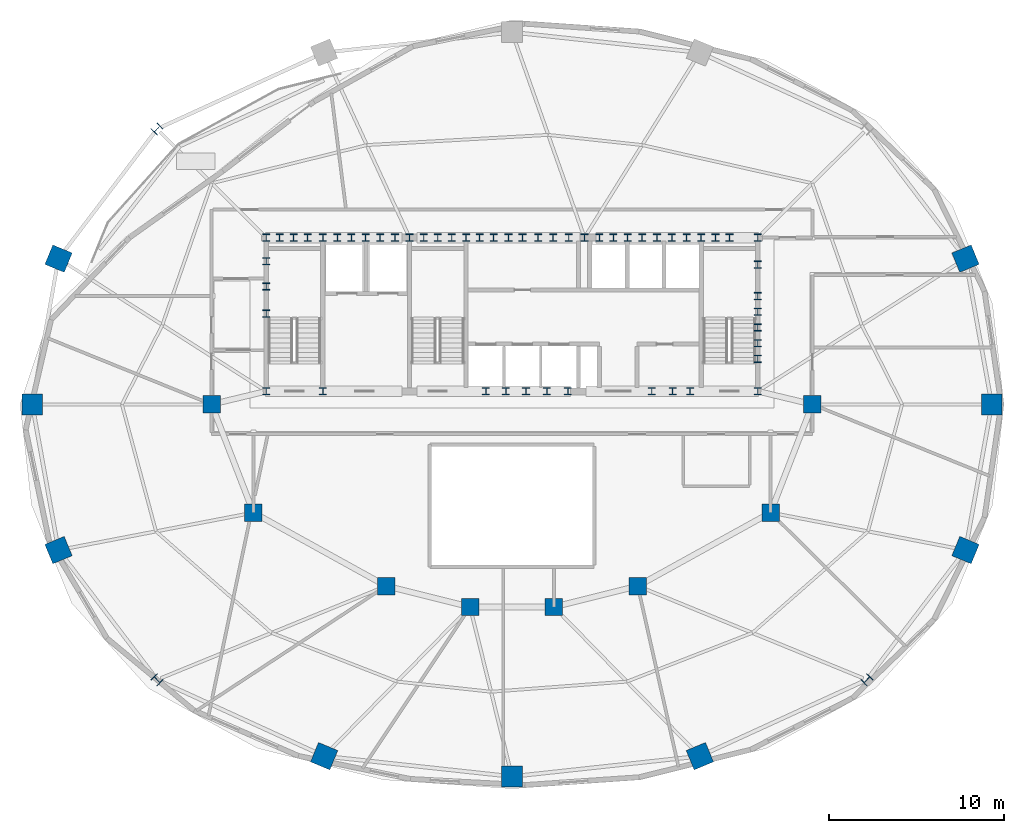
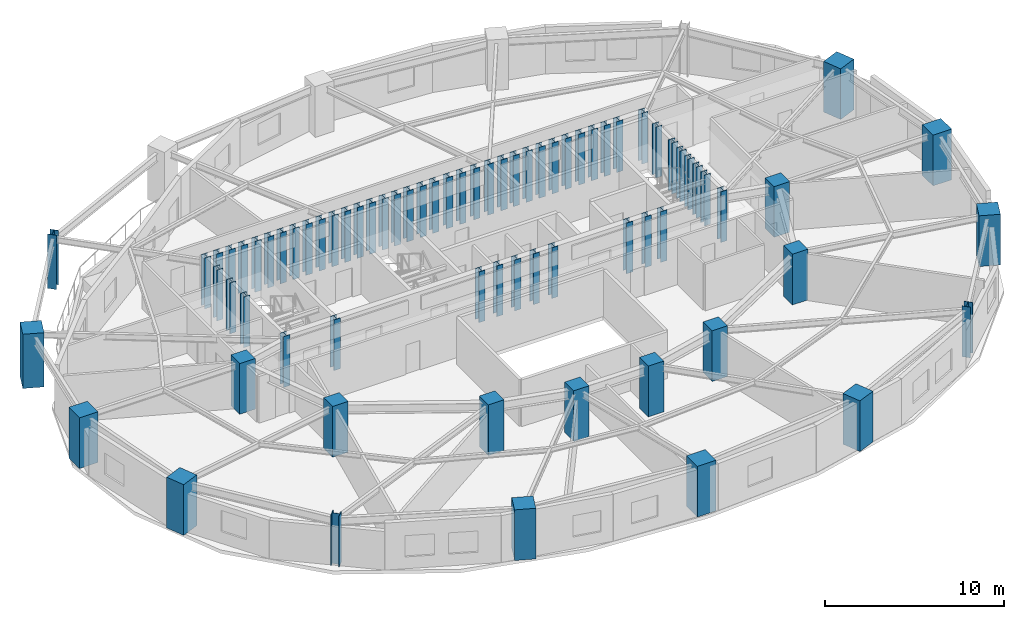
# One storey, part 1 of 10: 74 columns.
"""IFC4 building model written with IfcOpenShell, lengths in metres."""

from ifc_helpers import new_model, si_unit, direction, frame, origin, origin_2d, place, context, subcontext, project, spatial, rectangle, i_section, extrude, material, material_profile, profile_set, type_object, element, save


model = new_model("IFC4")

# Units and contexts
model_context = context("Model", 3, precision=1e-05, world=origin(), true_north=direction((0.0, 1.0)))
body_context = subcontext(model_context, "Body", "Model", "MODEL_VIEW")
ifc_project = project(units=[si_unit("LENGTHUNIT", "METRE"), si_unit("AREAUNIT", "SQUARE_METRE"), si_unit("VOLUMEUNIT", "CUBIC_METRE"), si_unit("PLANEANGLEUNIT", "RADIAN"), si_unit("MASSUNIT", "GRAM", prefix="KILO")], contexts=[model_context])

# Site, building, storey
site_placement = place(None, origin())
site = spatial("IfcSite", under=ifc_project, at=site_placement, CompositionType="ELEMENT")
building_placement = place(site_placement, origin())
building = spatial("IfcBuilding", under=site, at=building_placement, Name="Haldorwick Loom Tower", CompositionType="ELEMENT")
storey_placement = place(building_placement, frame((0.0, 0.0, 185.5)))
storey = spatial("IfcBuildingStorey", under=building, at=storey_placement, Name="L50", CompositionType="ELEMENT", Elevation=185.5)

# Columns
ifc_material_1 = material(Name="Concrete C60 (60 MPa)", Category="concrete")
ifc_material_profile_1 = material_profile(ifc_material_1, rectangle(XDim=1.0, YDim=1.0, at=origin_2d()), Name="RC1000X1000", Category="concrete")
ifc_profile_set_1 = profile_set([ifc_material_profile_1], Name="Concrete C60 (60 MPa)")
column_type_1 = type_object("IfcColumnType", Name="STR-COL-RC1000", PredefinedType="COLUMN", material=ifc_profile_set_1)
for number, where, z_axis, x_axis, name in (
    (1, (53.199951171875, 26.0, 0.0), (0.0, 0.0, 1.0), (1.0, 0.0, 0.0), "L50 Inner Column IC-01"),
    (2, (50.800048828125, 19.800048828125, 0.0), (0.0, 0.0, 1.0), (1.0, 0.0, 0.0), "L50 Inner Column IC-02"),
    (3, (43.199951171875, 15.60009765625, 0.0), (0.0, 0.0, 1.0), (1.0, 0.0, 0.0), "L50 Inner Column IC-03"),
    (4, (38.39990234375, 14.39990234375, 0.0), (0.0, 0.0, 1.0), (1.0, 0.0, 0.0), "L50 Inner Column IC-04"),
    (5, (33.60009765625, 14.39990234375, 0.0), (0.0, 0.0, 1.0), (1.0, 0.0, 0.0), "L50 Inner Column IC-05"),
    (6, (28.800048828125, 15.60009765625, 0.0), (0.0, 0.0, 1.0), (1.0, 0.0, 0.0), "L50 Inner Column IC-06"),
    (7, (21.199951171875, 19.800048828125, 0.0), (0.0, 0.0, 1.0), (1.0, 0.0, 0.0), "L50 Inner Column IC-07"),
    (8, (18.800048828125, 26.0, 0.0), (0.0, 0.0, 1.0), (1.0, 0.0, 0.0), "L50 Inner Column IC-08"),
):
    element("IfcColumn", number, at=place(storey_placement, frame(where, z_axis=z_axis, x_axis=x_axis)), inside=storey, type_object=column_type_1, Name=name, PredefinedType="COLUMN", context=body_context, shape_type="SweptSolid", body=[
        extrude(rectangle(XDim=1.0, YDim=1.0, at=origin_2d()), origin(), (0.0, 0.0, 1.0), 3.449951171875),
    ])
ifc_material_profile_2 = material_profile(ifc_material_1, rectangle(XDim=1.199951171875, YDim=1.199951171875, at=origin_2d()), Name="RC1200X1200", Category="concrete")
ifc_profile_set_2 = profile_set([ifc_material_profile_2], Name="Concrete C60 (60 MPa)")
column_type_2 = type_object("IfcColumnType", Name="STR-COL-RC1200", PredefinedType="COLUMN", material=ifc_profile_set_2)
for number, where, z_axis, x_axis, name in (
    (9, (63.46630859375, 26.0, 0.0), (0.0, 0.0, 1.0), (1.0, 0.0, 0.0), "L50 Perimeter Pier Column P01"),
    (10, (61.9609375, 34.342529296875, 0.0), (0.0, 0.0, 1.0), (0.923879532511, 0.382683432365, 0.0), "L50 Perimeter Pier Column P02"),
):
    element("IfcColumn", number, at=place(storey_placement, frame(where, z_axis=z_axis, x_axis=x_axis)), inside=storey, type_object=column_type_2, Name=name, PredefinedType="COLUMN", context=body_context, shape_type="SweptSolid", body=[
        extrude(rectangle(XDim=1.199951171875, YDim=1.199951171875, at=origin_2d()), origin(), (0.0, 0.0, 1.0), 3.449951171875),
    ])
column_1_placement = place(storey_placement, frame((10.0390625, 34.342529296875, -0.239990234375), z_axis=(0.0, 0.0, 1.0), x_axis=(-0.923879532511, 0.382683432365, 0.0)))
element("IfcColumn", 11, at=column_1_placement, inside=storey, type_object=column_type_2, Name="L50 Perimeter Pier Column P08", PredefinedType="COLUMN", context=body_context, shape_type="SweptSolid", body=[
    extrude(rectangle(XDim=1.199951171875, YDim=1.199951171875, at=origin_2d()), origin(), (0.0, 0.0, 1.0), 3.68994140625),
])
for number, where, z_axis, x_axis, name in (
    (12, (8.53369140625, 26.0, 0.0), (0.0, 0.0, 1.0), (-1.0, 0.0, 0.0), "L50 Perimeter Pier Column P09"),
    (13, (10.0390625, 17.657470703125, 0.0), (0.0, 0.0, 1.0), (-0.923879532511, -0.382683432365, 0.0), "L50 Perimeter Pier Column P10"),
    (14, (25.24658203125, 5.859375, 0.0), (0.0, 0.0, 1.0), (-0.382683432365, -0.923879532511, 0.0), "L50 Perimeter Pier Column P12"),
    (15, (36.0, 4.695068359375, 0.0), (0.0, 0.0, 1.0), (0.0, -1.0, 0.0), "L50 Perimeter Pier Column P13"),
    (16, (46.75341796875, 5.859375, 0.0), (0.0, 0.0, 1.0), (0.382683432365, -0.923879532511, 0.0), "L50 Perimeter Pier Column P14"),
    (17, (61.9609375, 17.657470703125, 0.0), (0.0, 0.0, 1.0), (0.923879532511, -0.382683432365, 0.0), "L50 Perimeter Pier Column P16"),
):
    element("IfcColumn", number, at=place(storey_placement, frame(where, z_axis=z_axis, x_axis=x_axis)), inside=storey, type_object=column_type_2, Name=name, PredefinedType="COLUMN", context=body_context, shape_type="SweptSolid", body=[
        extrude(rectangle(XDim=1.199951171875, YDim=1.199951171875, at=origin_2d()), origin(), (0.0, 0.0, 1.0), 3.449951171875),
    ])
ifc_material_2 = material(Name="Steel CSA G40.21 350W", Category="steel")
ifc_material_profile_3 = material_profile(ifc_material_2, i_section(OverallWidth=0.406005859375, OverallDepth=0.416015625, WebThickness=0.024169921875, FlangeThickness=0.03857421875, at=origin_2d()), Name="W360X382", Category="steel")
ifc_profile_set_3 = profile_set([ifc_material_profile_3], Name="Steel CSA G40.21 350W")
column_type_3 = type_object("IfcColumnType", Name="STR-COL-W360X382", PredefinedType="COLUMN", material=ifc_profile_set_3)
for number, where, z_axis, x_axis, name in (
    (18, (21.929931640625, 35.550048828125, 0.0), (0.0, 0.0, 1.0), (1.0, 0.0, 0.0), "L50 Core Pilaster CB-01"),
    (19, (23.5, 35.550048828125, 0.0), (0.0, 0.0, 1.0), (1.0, 0.0, 0.0), "L50 Core Pilaster CB-02"),
    (20, (25.169921875, 35.550048828125, 0.0), (0.0, 0.0, 1.0), (1.0, 0.0, 0.0), "L50 Core Pilaster CB-03"),
    (21, (26.800048828125, 35.550048828125, 0.0), (0.0, 0.0, 1.0), (1.0, 0.0, 0.0), "L50 Core Pilaster CB-04"),
    (22, (28.449951171875, 35.550048828125, 0.0), (0.0, 0.0, 1.0), (1.0, 0.0, 0.0), "L50 Core Pilaster CB-05"),
    (23, (30.1298828125, 35.550048828125, 0.0), (0.0, 0.0, 1.0), (1.0, 0.0, 0.0), "L50 Core Pilaster CB-06"),
    (24, (31.75, 35.550048828125, 0.0), (0.0, 0.0, 1.0), (1.0, 0.0, 0.0), "L50 Core Pilaster CB-07"),
    (25, (33.3701171875, 35.550048828125, 0.0), (0.0, 0.0, 1.0), (1.0, 0.0, 0.0), "L50 Core Pilaster CB-08"),
    (26, (34.949951171875, 35.550048828125, 0.0), (0.0, 0.0, 1.0), (1.0, 0.0, 0.0), "L50 Core Pilaster CB-09"),
    (27, (36.60009765625, 35.550048828125, 0.0), (0.0, 0.0, 1.0), (1.0, 0.0, 0.0), "L50 Core Pilaster CB-10"),
    (28, (38.35009765625, 35.550048828125, 0.0), (0.0, 0.0, 1.0), (1.0, 0.0, 0.0), "L50 Core Pilaster CB-11"),
    (29, (40.14990234375, 35.550048828125, 0.0), (0.0, 0.0, 1.0), (1.0, 0.0, 0.0), "L50 Core Pilaster CB-12"),
    (30, (41.800048828125, 35.550048828125, 0.0), (0.0, 0.0, 1.0), (1.0, 0.0, 0.0), "L50 Core Pilaster CB-13"),
    (31, (43.449951171875, 35.550048828125, 0.0), (0.0, 0.0, 1.0), (1.0, 0.0, 0.0), "L50 Core Pilaster CB-14"),
    (32, (45.14990234375, 35.550048828125, 0.0), (0.0, 0.0, 1.0), (1.0, 0.0, 0.0), "L50 Core Pilaster CB-15"),
    (33, (46.830078125, 35.550048828125, 0.0), (0.0, 0.0, 1.0), (1.0, 0.0, 0.0), "L50 Core Pilaster CB-16"),
    (34, (48.449951171875, 35.550048828125, 0.0), (0.0, 0.0, 1.0), (1.0, 0.0, 0.0), "L50 Core Pilaster CB-17"),
    (35, (50.070068359375, 35.550048828125, 0.0), (0.0, 0.0, 1.0), (1.0, 0.0, 0.0), "L50 Core Pilaster CB-18"),
    (36, (21.929931640625, 26.75, 0.0), (0.0, 0.0, 1.0), (1.0, 0.0, 0.0), "L50 Core Pilaster CB-19"),
    (37, (25.169921875, 26.75, 0.0), (0.0, 0.0, 1.0), (1.0, 0.0, 0.0), "L50 Core Pilaster CB-20"),
    (38, (34.5, 26.75, 0.0), (0.0, 0.0, 1.0), (1.0, 0.0, 0.0), "L50 Core Pilaster CB-21"),
    (39, (36.800048828125, 26.75, 0.0), (0.0, 0.0, 1.0), (1.0, 0.0, 0.0), "L50 Core Pilaster CB-22"),
    (40, (39.199951171875, 26.75, 0.0), (0.0, 0.0, 1.0), (1.0, 0.0, 0.0), "L50 Core Pilaster CB-23"),
    (41, (45.199951171875, 26.75, 0.0), (0.0, 0.0, 1.0), (1.0, 0.0, 0.0), "L50 Core Pilaster CB-24"),
    (42, (50.070068359375, 26.75, 0.0), (0.0, 0.0, 1.0), (1.0, 0.0, 0.0), "L50 Core Pilaster CB-25"),
    (43, (21.929931640625, 31.199951171875, 0.0), (0.0, 0.0, 1.0), (1.0, 0.0, 0.0), "L50 Core Pilaster CB-26"),
    (44, (21.929931640625, 32.75, 0.0), (0.0, 0.0, 1.0), (1.0, 0.0, 0.0), "L50 Core Pilaster CB-27"),
    (45, (21.929931640625, 34.199951171875, 0.0), (0.0, 0.0, 1.0), (1.0, 0.0, 0.0), "L50 Core Pilaster CB-28"),
    (46, (50.070068359375, 28.60009765625, 0.0), (0.0, 0.0, 1.0), (1.0, 0.0, 0.0), "L50 Core Pilaster CB-29"),
    (47, (50.070068359375, 30.39990234375, 0.0), (0.0, 0.0, 1.0), (1.0, 0.0, 0.0), "L50 Core Pilaster CB-30"),
    (48, (50.070068359375, 32.199951171875, 0.0), (0.0, 0.0, 1.0), (1.0, 0.0, 0.0), "L50 Core Pilaster CB-31"),
    (49, (50.070068359375, 34.0, 0.0), (0.0, 0.0, 1.0), (1.0, 0.0, 0.0), "L50 Core Pilaster CB-32"),
    (50, (22.699951171875, 35.550048828125, 0.0), (0.0, 0.0, 1.0), (1.0, 0.0, 0.0), "L50 Core Pilaster CB-33"),
    (51, (27.6201171875, 35.550048828125, 0.0), (0.0, 0.0, 1.0), (1.0, 0.0, 0.0), "L50 Core Pilaster CB-34"),
    (52, (32.550048828125, 35.550048828125, 0.0), (0.0, 0.0, 1.0), (1.0, 0.0, 0.0), "L50 Core Pilaster CB-35"),
    (53, (37.5, 35.550048828125, 0.0), (0.0, 0.0, 1.0), (1.0, 0.0, 0.0), "L50 Core Pilaster CB-36"),
    (54, (42.6201171875, 35.550048828125, 0.0), (0.0, 0.0, 1.0), (1.0, 0.0, 0.0), "L50 Core Pilaster CB-37"),
    (55, (47.64990234375, 35.550048828125, 0.0), (0.0, 0.0, 1.0), (1.0, 0.0, 0.0), "L50 Core Pilaster CB-38"),
    (56, (24.300048828125, 35.550048828125, 0.0), (0.0, 0.0, 1.0), (1.0, 0.0, 0.0), "L50 Core Pilaster CB-39"),
    (57, (26.0, 35.550048828125, 0.0), (0.0, 0.0, 1.0), (1.0, 0.0, 0.0), "L50 Core Pilaster CB-40"),
    (58, (29.300048828125, 35.550048828125, 0.0), (0.0, 0.0, 1.0), (1.0, 0.0, 0.0), "L50 Core Pilaster CB-41"),
    (59, (30.949951171875, 35.550048828125, 0.0), (0.0, 0.0, 1.0), (1.0, 0.0, 0.0), "L50 Core Pilaster CB-42"),
    (60, (34.14990234375, 35.550048828125, 0.0), (0.0, 0.0, 1.0), (1.0, 0.0, 0.0), "L50 Core Pilaster CB-43"),
    (61, (35.800048828125, 35.550048828125, 0.0), (0.0, 0.0, 1.0), (1.0, 0.0, 0.0), "L50 Core Pilaster CB-44"),
    (62, (39.25, 35.550048828125, 0.0), (0.0, 0.0, 1.0), (1.0, 0.0, 0.0), "L50 Core Pilaster CB-45"),
    (63, (41.0, 35.550048828125, 0.0), (0.0, 0.0, 1.0), (1.0, 0.0, 0.0), "L50 Core Pilaster CB-46"),
    (64, (44.300048828125, 35.550048828125, 0.0), (0.0, 0.0, 1.0), (1.0, 0.0, 0.0), "L50 Core Pilaster CB-47"),
    (65, (46.0, 35.550048828125, 0.0), (0.0, 0.0, 1.0), (1.0, 0.0, 0.0), "L50 Core Pilaster CB-48"),
    (66, (50.070068359375, 29.5, 0.0), (0.0, 0.0, 1.0), (1.0, 0.0, 0.0), "L50 Core Pilaster CB-49"),
    (67, (50.070068359375, 31.300048828125, 0.0), (0.0, 0.0, 1.0), (1.0, 0.0, 0.0), "L50 Core Pilaster CB-50"),
    (68, (35.64990234375, 26.75, 0.0), (0.0, 0.0, 1.0), (1.0, 0.0, 0.0), "L50 Core Pilaster CB-51"),
    (69, (38.0, 26.75, 0.0), (0.0, 0.0, 1.0), (1.0, 0.0, 0.0), "L50 Core Pilaster CB-52"),
    (70, (44.0, 26.75, 0.0), (0.0, 0.0, 1.0), (1.0, 0.0, 0.0), "L50 Core Pilaster CB-53"),
    (71, (46.199951171875, 26.75, 0.0), (0.0, 0.0, 1.0), (1.0, 0.0, 0.0), "L50 Core Pilaster CB-54"),
):
    element("IfcColumn", number, at=place(storey_placement, frame(where, z_axis=z_axis, x_axis=x_axis)), inside=storey, type_object=column_type_3, Name=name, PredefinedType="COLUMN", context=body_context, shape_type="SweptSolid", body=[
        extrude(i_section(OverallWidth=0.406005859375, OverallDepth=0.416015625, WebThickness=0.024169921875, FlangeThickness=0.03857421875, at=origin_2d()), origin(), (0.0, 0.0, 1.0), 3.449951171875),
    ])
ifc_material_3 = material(Name="Steel CSA G40.21 350WT", Category="steel")
ifc_material_profile_4 = material_profile(ifc_material_3, i_section(OverallWidth=0.5, OverallDepth=0.5, WebThickness=0.02197265625, FlangeThickness=0.031982421875, at=origin_2d()), Name="WWF500X500", Category="steel")
ifc_profile_set_4 = profile_set([ifc_material_profile_4], Name="Steel CSA G40.21 350WT")
column_type_4 = type_object("IfcColumnType", Name="STR-COL-WWF500", PredefinedType="COLUMN", material=ifc_profile_set_4)
column_2_placement = place(storey_placement, frame((15.682373046875, 41.764892578125, -0.239990234375), z_axis=(0.0, 0.0, 1.0), x_axis=(-0.707106781187, 0.707106781187, 0.0)))
element("IfcColumn", 72, at=column_2_placement, inside=storey, type_object=column_type_4, Name="L50 Perimeter Pier Column P07", PredefinedType="COLUMN", context=body_context, shape_type="SweptSolid", body=[
    extrude(i_section(OverallWidth=0.5, OverallDepth=0.5, WebThickness=0.02197265625, FlangeThickness=0.031982421875, at=origin_2d()), origin(), (0.0, 0.0, 1.0), 3.68994140625),
])
for number, where, z_axis, x_axis, name in (
    (73, (15.682373046875, 10.235107421875, 0.0), (0.0, 0.0, 1.0), (-0.707106781187, -0.707106781187, 0.0), "L50 Perimeter Pier Column P11"),
    (74, (56.317626953125, 10.235107421875, 0.0), (0.0, 0.0, 1.0), (0.707106781187, -0.707106781187, 0.0), "L50 Perimeter Pier Column P15"),
):
    element("IfcColumn", number, at=place(storey_placement, frame(where, z_axis=z_axis, x_axis=x_axis)), inside=storey, type_object=column_type_4, Name=name, PredefinedType="COLUMN", context=body_context, shape_type="SweptSolid", body=[
        extrude(i_section(OverallWidth=0.5, OverallDepth=0.5, WebThickness=0.02197265625, FlangeThickness=0.031982421875, at=origin_2d()), origin(), (0.0, 0.0, 1.0), 3.449951171875),
    ])

save(model, "model.ifc")
